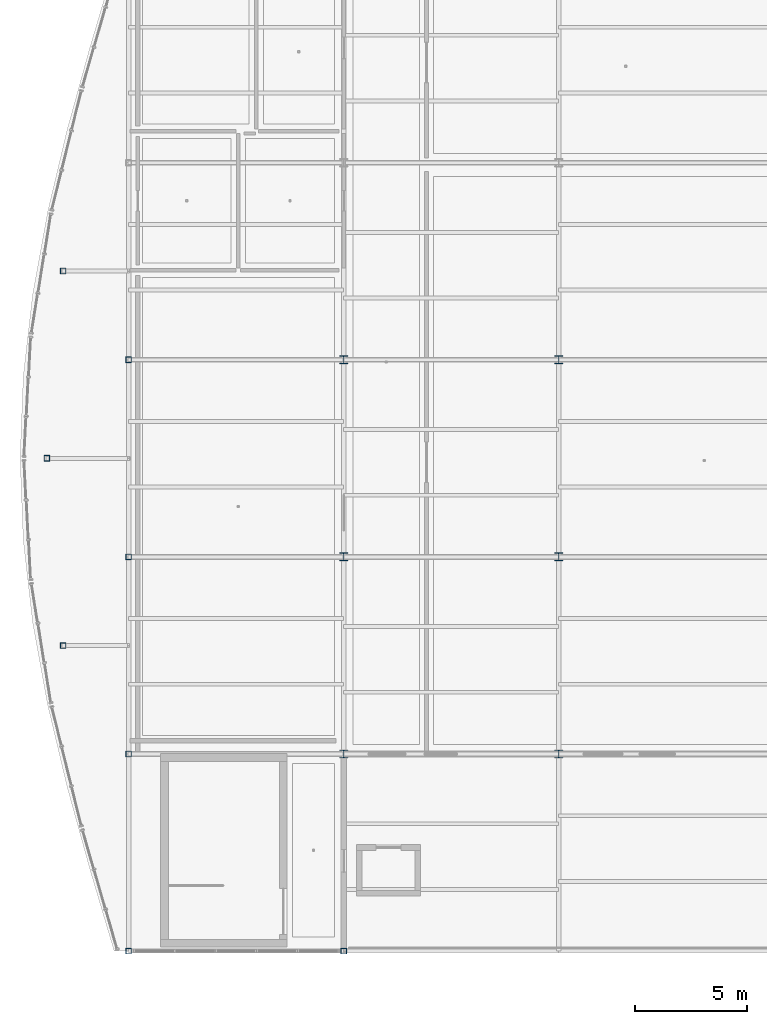
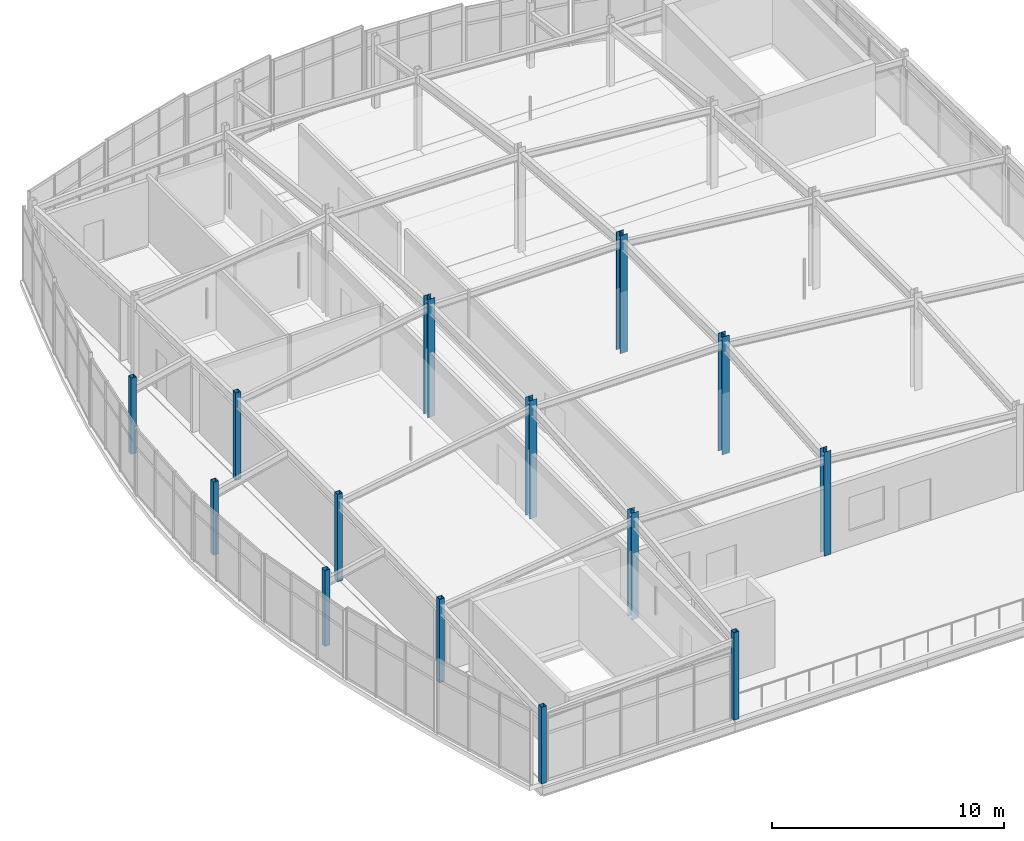
# One storey, part 1 of 114: 14 columns.
"""IFC4 building model written with IfcOpenShell, lengths in metres."""

from ifc_helpers import new_model, si_unit, direction, frame, origin, origin_2d, place, context, subcontext, project, spatial, hollow_rectangle, i_section, extrude, material, material_profile, profile_set, type_object, element, save


model = new_model("IFC4")

# Units and contexts
model_context = context("Model", 3, precision=1e-05, world=origin(), true_north=direction((0.0, 1.0)))
body_context = subcontext(model_context, "Body", "Model", "MODEL_VIEW")
ifc_project = project(units=[si_unit("LENGTHUNIT", "METRE"), si_unit("AREAUNIT", "SQUARE_METRE"), si_unit("VOLUMEUNIT", "CUBIC_METRE"), si_unit("PLANEANGLEUNIT", "RADIAN"), si_unit("MASSUNIT", "GRAM", prefix="KILO")], contexts=[model_context])

# Site, building, storey
site_placement = place(None, origin())
site = spatial("IfcSite", under=ifc_project, at=site_placement, CompositionType="ELEMENT")
building_placement = place(site_placement, origin())
building = spatial("IfcBuilding", under=site, at=building_placement, Name="Chalmorin Arch Market", CompositionType="ELEMENT")
storey_placement = place(building_placement, frame((0.0, 0.0, 9.60009765625)))
storey = spatial("IfcBuildingStorey", under=building, at=storey_placement, Name="L02", CompositionType="ELEMENT", Elevation=9.60009765625)

# Columns
ifc_material_1 = material(Name="Steel A500 Grade C", Category="steel")
ifc_material_profile_1 = material_profile(ifc_material_1, hollow_rectangle(XDim=0.25390625, YDim=0.25390625, WallThickness=0.01171875, at=origin_2d()), Name="HSS10X10X1/2")
ifc_profile_set_1 = profile_set([ifc_material_profile_1], Name="Steel A500 Grade C")
column_type_1 = type_object("IfcColumnType", Name="SteelTubeColumn-HSS10X10", PredefinedType="COLUMN", material=ifc_profile_set_1)
column_1_placement = place(storey_placement, frame((0.0, 6.0, 0.0), z_axis=(0.0, 0.0, 1.0), x_axis=(1.0, 0.0, 0.0)))
element("IfcColumn", 1, at=column_1_placement, inside=storey, type_object=column_type_1, Name="C-HS2-006", PredefinedType="COLUMN", context=body_context, shape_type="SweptSolid", body=[
    extrude(hollow_rectangle(XDim=0.25390625, YDim=0.25390625, WallThickness=0.01171875, at=origin_2d()), origin(), (0.0, 0.0, 1.0), 4.0458984375),
])
column_2_placement = place(storey_placement, frame((0.0, 14.800048828125, 0.0), z_axis=(0.0, 0.0, 1.0), x_axis=(1.0, 0.0, 0.0)))
element("IfcColumn", 2, at=column_2_placement, inside=storey, type_object=column_type_1, Name="C-HS2-010", PredefinedType="COLUMN", context=body_context, shape_type="SweptSolid", body=[
    extrude(hollow_rectangle(XDim=0.25390625, YDim=0.25390625, WallThickness=0.01171875, at=origin_2d()), origin(), (0.0, 0.0, 1.0), 4.39697265625),
])
column_3_placement = place(storey_placement, frame((0.0, 23.60009765625, 0.0), z_axis=(0.0, 0.0, 1.0), x_axis=(1.0, 0.0, 0.0)))
element("IfcColumn", 3, at=column_3_placement, inside=storey, type_object=column_type_1, Name="C-HS2-014", PredefinedType="COLUMN", context=body_context, shape_type="SweptSolid", body=[
    extrude(hollow_rectangle(XDim=0.25390625, YDim=0.25390625, WallThickness=0.01171875, at=origin_2d()), origin(), (0.0, 0.0, 1.0), 4.600830078125),
])
column_4_placement = place(storey_placement, frame((0.0, 32.39990234375, 0.0), z_axis=(0.0, 0.0, 1.0), x_axis=(1.0, 0.0, 0.0)))
element("IfcColumn", 4, at=column_4_placement, inside=storey, type_object=column_type_1, Name="C-HS2-018", PredefinedType="COLUMN", context=body_context, shape_type="SweptSolid", body=[
    extrude(hollow_rectangle(XDim=0.25390625, YDim=0.25390625, WallThickness=0.01171875, at=origin_2d()), origin(), (0.0, 0.0, 1.0), 4.60400390625),
])
column_5_placement = place(storey_placement, frame((9.60009765625, 6.0, 0.0), z_axis=(0.0, 0.0, 1.0), x_axis=(1.0, 0.0, 0.0)))
element("IfcColumn", 5, at=column_5_placement, inside=storey, type_object=column_type_1, Name="C-HS2-044", PredefinedType="COLUMN", context=body_context, shape_type="SweptSolid", body=[
    extrude(hollow_rectangle(XDim=0.25390625, YDim=0.25390625, WallThickness=0.01171875, at=origin_2d()), origin(), (0.0, 0.0, 1.0), 4.621826171875),
])
column_6_placement = place(storey_placement, frame((-2.924072265625, 19.639892578125, 0.0), z_axis=(0.0, 0.0, 1.0), x_axis=(1.0, 0.0, 0.0)))
element("IfcColumn", 6, at=column_6_placement, inside=storey, type_object=column_type_1, Name="C-HS2-688", PredefinedType="COLUMN", context=body_context, shape_type="SweptSolid", body=[
    extrude(hollow_rectangle(XDim=0.25390625, YDim=0.25390625, WallThickness=0.01171875, at=origin_2d()), origin(), (0.0, 0.0, 1.0), 4.0087890625),
])
column_7_placement = place(storey_placement, frame((-3.64990234375, 28.0, 0.0), z_axis=(0.0, 0.0, 1.0), x_axis=(1.0, 0.0, 0.0)))
element("IfcColumn", 7, at=column_7_placement, inside=storey, type_object=column_type_1, Name="C-HS2-694", PredefinedType="COLUMN", context=body_context, shape_type="SweptSolid", body=[
    extrude(hollow_rectangle(XDim=0.25390625, YDim=0.25390625, WallThickness=0.01171875, at=origin_2d()), origin(), (0.0, 0.0, 1.0), 3.851806640625),
])
column_8_placement = place(storey_placement, frame((-2.924072265625, 36.360107421875, 0.0), z_axis=(0.0, 0.0, 1.0), x_axis=(1.0, 0.0, 0.0)))
element("IfcColumn", 8, at=column_8_placement, inside=storey, type_object=column_type_1, Name="C-HS2-700", PredefinedType="COLUMN", context=body_context, shape_type="SweptSolid", body=[
    extrude(hollow_rectangle(XDim=0.25390625, YDim=0.25390625, WallThickness=0.01171875, at=origin_2d()), origin(), (0.0, 0.0, 1.0), 4.010986328125),
])
ifc_material_2 = material(Name="Steel A992 Grade 50", Category="steel")
ifc_material_profile_2 = material_profile(ifc_material_2, i_section(OverallWidth=0.35595703125, OverallDepth=0.35595703125, WebThickness=0.01123046875, FlangeThickness=0.01806640625, FilletRadius=0.02490234375, at=origin_2d()), Name="W14X90")
ifc_profile_set_2 = profile_set([ifc_material_profile_2], Name="Steel A992 Grade 50")
column_type_2 = type_object("IfcColumnType", Name="WideFlangeColumn-W14X90", PredefinedType="COLUMN", material=ifc_profile_set_2)
column_9_placement = place(storey_placement, frame((9.60009765625, 14.800048828125, 0.0), z_axis=(0.0, 0.0, 1.0), x_axis=(1.0, 0.0, 0.0)))
element("IfcColumn", 9, at=column_9_placement, inside=storey, type_object=column_type_2, Name="C-ST2-048", PredefinedType="COLUMN", context=body_context, shape_type="SweptSolid", body=[
    extrude(i_section(OverallWidth=0.35595703125, OverallDepth=0.35595703125, WebThickness=0.01123046875, FlangeThickness=0.01806640625, FilletRadius=0.02490234375, at=origin_2d()), origin(), (0.0, 0.0, 1.0), 5.62890625),
])
column_10_placement = place(storey_placement, frame((9.60009765625, 23.60009765625, 0.0), z_axis=(0.0, 0.0, 1.0), x_axis=(1.0, 0.0, 0.0)))
element("IfcColumn", 10, at=column_10_placement, inside=storey, type_object=column_type_2, Name="C-ST2-052", PredefinedType="COLUMN", context=body_context, shape_type="SweptSolid", body=[
    extrude(i_section(OverallWidth=0.35595703125, OverallDepth=0.35595703125, WebThickness=0.01123046875, FlangeThickness=0.01806640625, FilletRadius=0.02490234375, at=origin_2d()), origin(), (0.0, 0.0, 1.0), 6.216796875),
])
column_11_placement = place(storey_placement, frame((9.60009765625, 32.39990234375, 0.0), z_axis=(0.0, 0.0, 1.0), x_axis=(1.0, 0.0, 0.0)))
element("IfcColumn", 11, at=column_11_placement, inside=storey, type_object=column_type_2, Name="C-ST2-056", PredefinedType="COLUMN", context=body_context, shape_type="SweptSolid", body=[
    extrude(i_section(OverallWidth=0.35595703125, OverallDepth=0.35595703125, WebThickness=0.01123046875, FlangeThickness=0.01806640625, FilletRadius=0.02490234375, at=origin_2d()), origin(), (0.0, 0.0, 1.0), 6.223876953125),
])
column_12_placement = place(storey_placement, frame((19.199951171875, 14.800048828125, 0.0), z_axis=(0.0, 0.0, 1.0), x_axis=(1.0, 0.0, 0.0)))
element("IfcColumn", 12, at=column_12_placement, inside=storey, type_object=column_type_2, Name="C-ST2-085", PredefinedType="COLUMN", context=body_context, shape_type="SweptSolid", body=[
    extrude(i_section(OverallWidth=0.35595703125, OverallDepth=0.35595703125, WebThickness=0.01123046875, FlangeThickness=0.01806640625, FilletRadius=0.02490234375, at=origin_2d()), origin(), (0.0, 0.0, 1.0), 5.48486328125),
])
column_13_placement = place(storey_placement, frame((19.199951171875, 23.60009765625, 0.0), z_axis=(0.0, 0.0, 1.0), x_axis=(1.0, 0.0, 0.0)))
element("IfcColumn", 13, at=column_13_placement, inside=storey, type_object=column_type_2, Name="C-ST2-089", PredefinedType="COLUMN", context=body_context, shape_type="SweptSolid", body=[
    extrude(i_section(OverallWidth=0.35595703125, OverallDepth=0.35595703125, WebThickness=0.01123046875, FlangeThickness=0.01806640625, FilletRadius=0.02490234375, at=origin_2d()), origin(), (0.0, 0.0, 1.0), 6.219970703125),
])
column_14_placement = place(storey_placement, frame((19.199951171875, 32.39990234375, 0.0), z_axis=(0.0, 0.0, 1.0), x_axis=(1.0, 0.0, 0.0)))
element("IfcColumn", 14, at=column_14_placement, inside=storey, type_object=column_type_2, Name="C-ST2-093", PredefinedType="COLUMN", context=body_context, shape_type="SweptSolid", body=[
    extrude(i_section(OverallWidth=0.35595703125, OverallDepth=0.35595703125, WebThickness=0.01123046875, FlangeThickness=0.01806640625, FilletRadius=0.02490234375, at=origin_2d()), origin(), (0.0, 0.0, 1.0), 6.227783203125),
])

save(model, "model.ifc")
